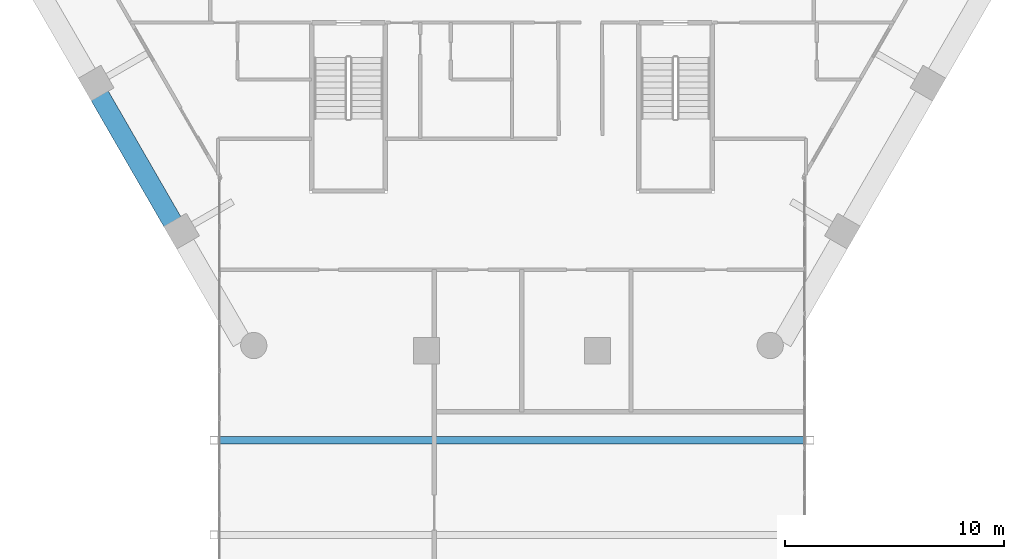
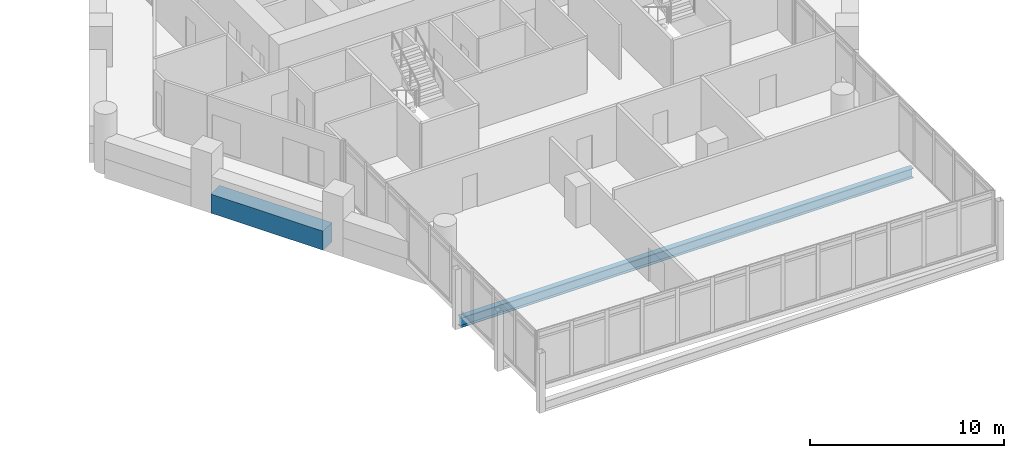
# One storey, part 8 of 28: 2 beams.
"""IFC4 building model written with IfcOpenShell, lengths in metres."""

from ifc_helpers import new_model, si_unit, direction, frame, origin, origin_2d, place, context, subcontext, project, spatial, rectangle, i_section, extrude, material, material_profile, profile_set, type_object, element, save


model = new_model("IFC4")

# Units and contexts
model_context = context("Model", 3, precision=1e-05, world=origin(), true_north=direction((0.0, 1.0)))
body_context = subcontext(model_context, "Body", "Model", "MODEL_VIEW")
ifc_project = project(units=[si_unit("LENGTHUNIT", "METRE"), si_unit("AREAUNIT", "SQUARE_METRE"), si_unit("VOLUMEUNIT", "CUBIC_METRE"), si_unit("PLANEANGLEUNIT", "RADIAN"), si_unit("MASSUNIT", "GRAM", prefix="KILO")], contexts=[model_context])

# Site, building, storey
site_placement = place(None, origin())
site = spatial("IfcSite", under=ifc_project, at=site_placement, CompositionType="ELEMENT")
building_placement = place(site_placement, origin())
building = spatial("IfcBuilding", under=site, at=building_placement, Name="Ostrander Bayou Hotel Tower", CompositionType="ELEMENT")
storey_placement = place(building_placement, frame((0.0, 0.0, 134.75)))
storey = spatial("IfcBuildingStorey", under=building, at=storey_placement, Name="L33", CompositionType="ELEMENT", Elevation=134.75)

# Beams
ifc_material_1 = material(Name="Concrete f'c 70 MPa", Category="concrete")
ifc_material_profile_1 = material_profile(ifc_material_1, rectangle(XDim=0.89990234375, YDim=1.199951171875, at=origin_2d()))
ifc_profile_set_1 = profile_set([ifc_material_profile_1], Name="Concrete f'c 70 MPa")
beam_type_1 = type_object("IfcBeamType", Name="SP2 spandrel beam 900 x 1200 mm f'c 70 MPa", PredefinedType="SPANDREL", material=ifc_profile_set_1)
beam_1_placement = place(storey_placement, frame((-18.85888671875, -7.035400390625, -0.60009765625), z_axis=(0.499999023957, -0.866025967302, 0.0), x_axis=(0.866025967302, 0.499999023957, 0.0)))
element("IfcBeam", 1, at=beam_1_placement, inside=storey, type_object=beam_type_1, Name="SP2 L33 SW-2", PredefinedType="SPANDREL", context=body_context, shape_type="SweptSolid", body=[
    extrude(rectangle(XDim=0.89990234375, YDim=1.199951171875, at=origin_2d()), origin(), (0.0, 0.0, 1.0), 6.67333984375),
])
ifc_material_2 = material(Name="Steel ASTM A992", Category="steel")
ifc_material_profile_2 = material_profile(ifc_material_2, i_section(OverallWidth=0.32763671875, OverallDepth=0.621826171875, WebThickness=0.015380859375, FlangeThickness=0.0244140625, at=origin_2d()))
ifc_profile_set_2 = profile_set([ifc_material_profile_2], Name="Steel ASTM A992")
beam_type_2 = type_object("IfcBeamType", Name="TF1 bar floor beam W24x131", PredefinedType="BEAM", material=ifc_profile_set_2)
beam_2_placement = place(storey_placement, frame((-13.442138671875, -22.794677734375, -0.61083984375), z_axis=(1.0, 0.0, 0.0), x_axis=(0.0, 1.0, 0.0)))
element("IfcBeam", 2, at=beam_2_placement, inside=storey, type_object=beam_type_2, Name="TF1 SB3S L2-1", PredefinedType="BEAM", context=body_context, shape_type="SweptSolid", body=[
    extrude(i_section(OverallWidth=0.32763671875, OverallDepth=0.621826171875, WebThickness=0.015380859375, FlangeThickness=0.0244140625, at=origin_2d()), origin(), (0.0, 0.0, 1.0), 26.88427734375),
])

save(model, "model.ifc")
